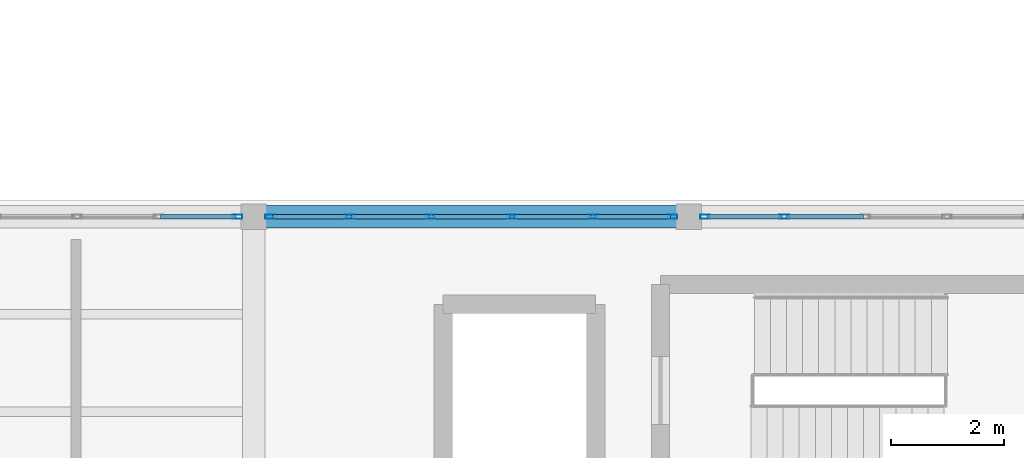
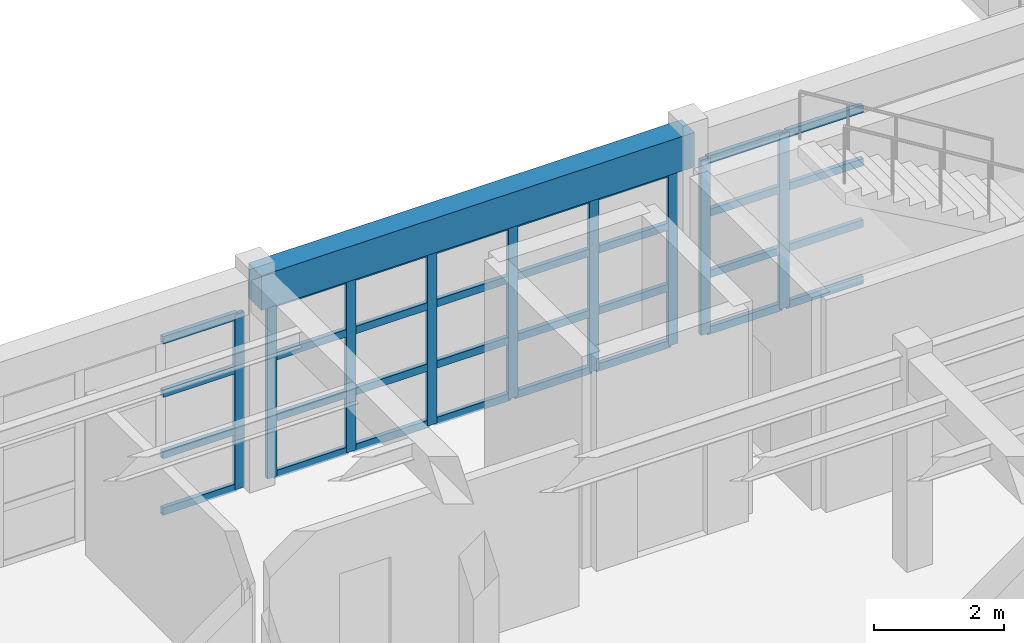
# One storey, part 15 of 66: 41 members, 1 beam, 3 elements without a shape of their own.
"""IFC4 building model written with IfcOpenShell, lengths in metres."""

from ifc_helpers import new_model, si_unit, direction, frame, origin, origin_2d, place, context, subcontext, project, spatial, rectangle, hollow_rectangle, extrude, material, layer, layer_set, material_profile, profile_set, type_object, element, aggregate, save


model = new_model("IFC4")

# Units and contexts
model_context = context("Model", 3, precision=1e-05, world=origin(), true_north=direction((0.0, 1.0)))
body_context = subcontext(model_context, "Body", "Model", "MODEL_VIEW")
ifc_project = project(units=[si_unit("LENGTHUNIT", "METRE"), si_unit("AREAUNIT", "SQUARE_METRE"), si_unit("VOLUMEUNIT", "CUBIC_METRE"), si_unit("PLANEANGLEUNIT", "RADIAN"), si_unit("MASSUNIT", "GRAM", prefix="KILO")], contexts=[model_context])

# Site, building, storey
site_placement = place(None, origin())
site = spatial("IfcSite", under=ifc_project, at=site_placement, CompositionType="ELEMENT")
building_placement = place(site_placement, origin())
building = spatial("IfcBuilding", under=site, at=building_placement, Name="Candilejo Ridge Gondola Terminal", CompositionType="ELEMENT")
storey_placement = place(building_placement, frame((0.0, 0.0, 14.39990234375)))
storey = spatial("IfcBuildingStorey", under=building, at=storey_placement, Name="L03", CompositionType="ELEMENT", Elevation=14.39990234375)

# Curtain wall, member
ifc_material_1 = material(Name="Anodised aluminium AA 6063-T6", Category="aluminium")
ifc_layer = layer(ifc_material_1, 0.169921875)
ifc_layer_set = layer_set([ifc_layer], Name="ARC-CW-GALLERY-3200-720X329")
curtain_wall_type = type_object("IfcCurtainWallType", Name="ARC-CW-GALLERY-3200-720X329", PredefinedType="NOTDEFINED", material=ifc_layer_set)
curtain_wall_1_placement = place(storey_placement, origin())
curtain_wall_1 = element("IfcCurtainWall", 1, at=curtain_wall_1_placement, inside=storey, type_object=curtain_wall_type, Name="Curtain wall V3 L03-097", PredefinedType="NOTDEFINED")
ifc_material_2 = material(Name="Anodised aluminium AA 6063-T6", Category="aluminium")
ifc_material_profile_1 = material_profile(ifc_material_2, hollow_rectangle(XDim=0.074951171875, YDim=0.169921875, WallThickness=0.00390625, at=origin_2d()))
ifc_profile_set_1 = profile_set([ifc_material_profile_1], Name="Anodised aluminium AA 6063-T6")
member_type_1 = type_object("IfcMemberType", Name="ARC-CW-MULLION", PredefinedType="MULLION", material=ifc_profile_set_1)
member_1_placement = place(storey_placement, frame((117.262451171875, 36.699951171875, 0.0), z_axis=(0.0, 0.0, 1.0), x_axis=(0.0, 1.0, 0.0)))
member_1 = element("IfcMember", 2, at=member_1_placement, type_object=member_type_1, Name="CW-72X32 mullion 6", PredefinedType="MULLION", context=body_context, shape_type="SweptSolid", body=[
    extrude(hollow_rectangle(XDim=0.074951171875, YDim=0.169921875, WallThickness=0.00390625, at=origin_2d()), origin(), (0.0, 0.0, 1.0), 3.2900390625),
])

# Curtain wall, members
curtain_wall_2_placement = place(storey_placement, origin())
curtain_wall_2 = element("IfcCurtainWall", 3, at=curtain_wall_2_placement, inside=storey, type_object=curtain_wall_type, Name="Curtain wall V3 L03-098", PredefinedType="NOTDEFINED")
member_2_placement = place(storey_placement, frame((117.83740234375, 36.699951171875, 0.0), z_axis=(0.0, 0.0, 1.0), x_axis=(0.0, 1.0, 0.0)))
member_2 = element("IfcMember", 4, at=member_2_placement, type_object=member_type_1, Name="CW-72X32 mullion 1", PredefinedType="MULLION", context=body_context, shape_type="SweptSolid", body=[
    extrude(hollow_rectangle(XDim=0.074951171875, YDim=0.169921875, WallThickness=0.00390625, at=origin_2d()), origin(), (0.0, 0.0, 1.0), 3.2900390625),
])
member_3_placement = place(storey_placement, frame((119.239990234375, 36.699951171875, 0.0), z_axis=(0.0, 0.0, 1.0), x_axis=(0.0, 1.0, 0.0)))
member_3 = element("IfcMember", 5, at=member_3_placement, type_object=member_type_1, Name="CW-72X32 mullion 2", PredefinedType="MULLION", context=body_context, shape_type="SweptSolid", body=[
    extrude(hollow_rectangle(XDim=0.074951171875, YDim=0.169921875, WallThickness=0.00390625, at=origin_2d()), origin(), (0.0, 0.0, 1.0), 3.2900390625),
])
member_4_placement = place(storey_placement, frame((120.679931640625, 36.699951171875, 0.0), z_axis=(0.0, 0.0, 1.0), x_axis=(0.0, 1.0, 0.0)))
member_4 = element("IfcMember", 6, at=member_4_placement, type_object=member_type_1, Name="CW-72X32 mullion 3", PredefinedType="MULLION", context=body_context, shape_type="SweptSolid", body=[
    extrude(hollow_rectangle(XDim=0.074951171875, YDim=0.169921875, WallThickness=0.00390625, at=origin_2d()), origin(), (0.0, 0.0, 1.0), 3.2900390625),
])
member_5_placement = place(storey_placement, frame((122.1201171875, 36.699951171875, 0.0), z_axis=(0.0, 0.0, 1.0), x_axis=(0.0, 1.0, 0.0)))
member_5 = element("IfcMember", 7, at=member_5_placement, type_object=member_type_1, Name="CW-72X32 mullion 4", PredefinedType="MULLION", context=body_context, shape_type="SweptSolid", body=[
    extrude(hollow_rectangle(XDim=0.074951171875, YDim=0.169921875, WallThickness=0.00390625, at=origin_2d()), origin(), (0.0, 0.0, 1.0), 3.2900390625),
])
member_6_placement = place(storey_placement, frame((123.56005859375, 36.699951171875, 0.0), z_axis=(0.0, 0.0, 1.0), x_axis=(0.0, 1.0, 0.0)))
member_6 = element("IfcMember", 8, at=member_6_placement, type_object=member_type_1, Name="CW-72X32 mullion 5", PredefinedType="MULLION", context=body_context, shape_type="SweptSolid", body=[
    extrude(hollow_rectangle(XDim=0.074951171875, YDim=0.169921875, WallThickness=0.00390625, at=origin_2d()), origin(), (0.0, 0.0, 1.0), 3.2900390625),
])
member_7_placement = place(storey_placement, frame((124.96240234375, 36.699951171875, 0.0), z_axis=(0.0, 0.0, 1.0), x_axis=(0.0, 1.0, 0.0)))
member_7 = element("IfcMember", 9, at=member_7_placement, type_object=member_type_1, Name="CW-72X32 mullion 6", PredefinedType="MULLION", context=body_context, shape_type="SweptSolid", body=[
    extrude(hollow_rectangle(XDim=0.074951171875, YDim=0.169921875, WallThickness=0.00390625, at=origin_2d()), origin(), (0.0, 0.0, 1.0), 3.2900390625),
])

curtain_wall_3_placement = place(storey_placement, origin())
curtain_wall_3 = element("IfcCurtainWall", 10, at=curtain_wall_3_placement, inside=storey, type_object=curtain_wall_type, Name="Curtain wall V3 L03-099", PredefinedType="NOTDEFINED")
member_8_placement = place(storey_placement, frame((125.53759765625, 36.699951171875, 0.0), z_axis=(0.0, 0.0, 1.0), x_axis=(0.0, 1.0, 0.0)))
member_8 = element("IfcMember", 11, at=member_8_placement, type_object=member_type_1, Name="CW-72X32 mullion 1", PredefinedType="MULLION", context=body_context, shape_type="SweptSolid", body=[
    extrude(hollow_rectangle(XDim=0.074951171875, YDim=0.169921875, WallThickness=0.00390625, at=origin_2d()), origin(), (0.0, 0.0, 1.0), 3.2900390625),
])
member_9_placement = place(storey_placement, frame((126.93994140625, 36.699951171875, 0.0), z_axis=(0.0, 0.0, 1.0), x_axis=(0.0, 1.0, 0.0)))
member_9 = element("IfcMember", 12, at=member_9_placement, type_object=member_type_1, Name="CW-72X32 mullion 2", PredefinedType="MULLION", context=body_context, shape_type="SweptSolid", body=[
    extrude(hollow_rectangle(XDim=0.074951171875, YDim=0.169921875, WallThickness=0.00390625, at=origin_2d()), origin(), (0.0, 0.0, 1.0), 3.2900390625),
])

# Member
ifc_material_3 = material(Name="Anodised aluminium AA 6063-T6", Category="aluminium")
ifc_material_profile_2 = material_profile(ifc_material_3, hollow_rectangle(XDim=0.074951171875, YDim=0.139892578125, WallThickness=0.00390625, at=origin_2d()))
ifc_profile_set_2 = profile_set([ifc_material_profile_2], Name="Anodised aluminium AA 6063-T6")
member_type_2 = type_object("IfcMemberType", Name="ARC-CW-TRANSOM", PredefinedType="USERDEFINED", material=ifc_profile_set_2)
member_10_placement = place(storey_placement, frame((115.8974609375, 36.699951171875, 0.03759765625), z_axis=(1.0, 0.0, 0.0), x_axis=(0.0, 1.0, 0.0)))
member_10 = element("IfcMember", 13, at=member_10_placement, type_object=member_type_2, Name="CW-72X32 transom 5.1", ObjectType="TRANSOM", PredefinedType="USERDEFINED", context=body_context, shape_type="SweptSolid", body=[
    extrude(hollow_rectangle(XDim=0.074951171875, YDim=0.139892578125, WallThickness=0.00390625, at=origin_2d()), origin(), (0.0, 0.0, 1.0), 1.32763671875),
])

member_11_placement = place(storey_placement, frame((115.8974609375, 36.699951171875, 1.10009765625), z_axis=(1.0, 0.0, 0.0), x_axis=(0.0, 1.0, 0.0)))
member_11 = element("IfcMember", 14, at=member_11_placement, type_object=member_type_2, Name="CW-72X32 transom 5.2", ObjectType="TRANSOM", PredefinedType="USERDEFINED", context=body_context, shape_type="SweptSolid", body=[
    extrude(hollow_rectangle(XDim=0.074951171875, YDim=0.139892578125, WallThickness=0.00390625, at=origin_2d()), origin(), (0.0, 0.0, 1.0), 1.32763671875),
])

member_12_placement = place(storey_placement, frame((115.8974609375, 36.699951171875, 2.25), z_axis=(1.0, 0.0, 0.0), x_axis=(0.0, 1.0, 0.0)))
member_12 = element("IfcMember", 15, at=member_12_placement, type_object=member_type_2, Name="CW-72X32 transom 5.3", ObjectType="TRANSOM", PredefinedType="USERDEFINED", context=body_context, shape_type="SweptSolid", body=[
    extrude(hollow_rectangle(XDim=0.074951171875, YDim=0.139892578125, WallThickness=0.00390625, at=origin_2d()), origin(), (0.0, 0.0, 1.0), 1.32763671875),
])

member_13_placement = place(storey_placement, frame((115.8974609375, 36.699951171875, 3.252685546875), z_axis=(1.0, 0.0, 0.0), x_axis=(0.0, 1.0, 0.0)))
member_13 = element("IfcMember", 16, at=member_13_placement, type_object=member_type_2, Name="CW-72X32 transom 5.4", ObjectType="TRANSOM", PredefinedType="USERDEFINED", context=body_context, shape_type="SweptSolid", body=[
    extrude(hollow_rectangle(XDim=0.074951171875, YDim=0.139892578125, WallThickness=0.00390625, at=origin_2d()), origin(), (0.0, 0.0, 1.0), 1.32763671875),
])

aggregate(curtain_wall_1, [member_1, member_10, member_11, member_12, member_13])

member_14_placement = place(storey_placement, frame((117.875, 36.699951171875, 0.03759765625), z_axis=(1.0, 0.0, 0.0), x_axis=(0.0, 1.0, 0.0)))
member_14 = element("IfcMember", 17, at=member_14_placement, type_object=member_type_2, Name="CW-72X32 transom 1.1", ObjectType="TRANSOM", PredefinedType="USERDEFINED", context=body_context, shape_type="SweptSolid", body=[
    extrude(hollow_rectangle(XDim=0.074951171875, YDim=0.139892578125, WallThickness=0.00390625, at=origin_2d()), origin(), (0.0, 0.0, 1.0), 1.327392578125),
])

member_15_placement = place(storey_placement, frame((117.875, 36.699951171875, 1.10009765625), z_axis=(1.0, 0.0, 0.0), x_axis=(0.0, 1.0, 0.0)))
member_15 = element("IfcMember", 18, at=member_15_placement, type_object=member_type_2, Name="CW-72X32 transom 1.2", ObjectType="TRANSOM", PredefinedType="USERDEFINED", context=body_context, shape_type="SweptSolid", body=[
    extrude(hollow_rectangle(XDim=0.074951171875, YDim=0.139892578125, WallThickness=0.00390625, at=origin_2d()), origin(), (0.0, 0.0, 1.0), 1.327392578125),
])

member_16_placement = place(storey_placement, frame((117.875, 36.699951171875, 2.25), z_axis=(1.0, 0.0, 0.0), x_axis=(0.0, 1.0, 0.0)))
member_16 = element("IfcMember", 19, at=member_16_placement, type_object=member_type_2, Name="CW-72X32 transom 1.3", ObjectType="TRANSOM", PredefinedType="USERDEFINED", context=body_context, shape_type="SweptSolid", body=[
    extrude(hollow_rectangle(XDim=0.074951171875, YDim=0.139892578125, WallThickness=0.00390625, at=origin_2d()), origin(), (0.0, 0.0, 1.0), 1.327392578125),
])

member_17_placement = place(storey_placement, frame((117.875, 36.699951171875, 3.252685546875), z_axis=(1.0, 0.0, 0.0), x_axis=(0.0, 1.0, 0.0)))
member_17 = element("IfcMember", 20, at=member_17_placement, type_object=member_type_2, Name="CW-72X32 transom 1.4", ObjectType="TRANSOM", PredefinedType="USERDEFINED", context=body_context, shape_type="SweptSolid", body=[
    extrude(hollow_rectangle(XDim=0.074951171875, YDim=0.139892578125, WallThickness=0.00390625, at=origin_2d()), origin(), (0.0, 0.0, 1.0), 1.327392578125),
])

member_18_placement = place(storey_placement, frame((119.277587890625, 36.699951171875, 0.03759765625), z_axis=(1.0, 0.0, 0.0), x_axis=(0.0, 1.0, 0.0)))
member_18 = element("IfcMember", 21, at=member_18_placement, type_object=member_type_2, Name="CW-72X32 transom 2.1", ObjectType="TRANSOM", PredefinedType="USERDEFINED", context=body_context, shape_type="SweptSolid", body=[
    extrude(hollow_rectangle(XDim=0.074951171875, YDim=0.139892578125, WallThickness=0.00390625, at=origin_2d()), origin(), (0.0, 0.0, 1.0), 1.364990234375),
])

member_19_placement = place(storey_placement, frame((119.277587890625, 36.699951171875, 1.10009765625), z_axis=(1.0, 0.0, 0.0), x_axis=(0.0, 1.0, 0.0)))
member_19 = element("IfcMember", 22, at=member_19_placement, type_object=member_type_2, Name="CW-72X32 transom 2.2", ObjectType="TRANSOM", PredefinedType="USERDEFINED", context=body_context, shape_type="SweptSolid", body=[
    extrude(hollow_rectangle(XDim=0.074951171875, YDim=0.139892578125, WallThickness=0.00390625, at=origin_2d()), origin(), (0.0, 0.0, 1.0), 1.364990234375),
])

member_20_placement = place(storey_placement, frame((119.277587890625, 36.699951171875, 2.25), z_axis=(1.0, 0.0, 0.0), x_axis=(0.0, 1.0, 0.0)))
member_20 = element("IfcMember", 23, at=member_20_placement, type_object=member_type_2, Name="CW-72X32 transom 2.3", ObjectType="TRANSOM", PredefinedType="USERDEFINED", context=body_context, shape_type="SweptSolid", body=[
    extrude(hollow_rectangle(XDim=0.074951171875, YDim=0.139892578125, WallThickness=0.00390625, at=origin_2d()), origin(), (0.0, 0.0, 1.0), 1.364990234375),
])

member_21_placement = place(storey_placement, frame((119.277587890625, 36.699951171875, 3.252685546875), z_axis=(1.0, 0.0, 0.0), x_axis=(0.0, 1.0, 0.0)))
member_21 = element("IfcMember", 24, at=member_21_placement, type_object=member_type_2, Name="CW-72X32 transom 2.4", ObjectType="TRANSOM", PredefinedType="USERDEFINED", context=body_context, shape_type="SweptSolid", body=[
    extrude(hollow_rectangle(XDim=0.074951171875, YDim=0.139892578125, WallThickness=0.00390625, at=origin_2d()), origin(), (0.0, 0.0, 1.0), 1.364990234375),
])

member_22_placement = place(storey_placement, frame((120.717529296875, 36.699951171875, 0.03759765625), z_axis=(1.0, 0.0, 0.0), x_axis=(0.0, 1.0, 0.0)))
member_22 = element("IfcMember", 25, at=member_22_placement, type_object=member_type_2, Name="CW-72X32 transom 3.1", ObjectType="TRANSOM", PredefinedType="USERDEFINED", context=body_context, shape_type="SweptSolid", body=[
    extrude(hollow_rectangle(XDim=0.074951171875, YDim=0.139892578125, WallThickness=0.00390625, at=origin_2d()), origin(), (0.0, 0.0, 1.0), 1.364990234375),
])

member_23_placement = place(storey_placement, frame((120.717529296875, 36.699951171875, 1.10009765625), z_axis=(1.0, 0.0, 0.0), x_axis=(0.0, 1.0, 0.0)))
member_23 = element("IfcMember", 26, at=member_23_placement, type_object=member_type_2, Name="CW-72X32 transom 3.2", ObjectType="TRANSOM", PredefinedType="USERDEFINED", context=body_context, shape_type="SweptSolid", body=[
    extrude(hollow_rectangle(XDim=0.074951171875, YDim=0.139892578125, WallThickness=0.00390625, at=origin_2d()), origin(), (0.0, 0.0, 1.0), 1.364990234375),
])

member_24_placement = place(storey_placement, frame((120.717529296875, 36.699951171875, 2.25), z_axis=(1.0, 0.0, 0.0), x_axis=(0.0, 1.0, 0.0)))
member_24 = element("IfcMember", 27, at=member_24_placement, type_object=member_type_2, Name="CW-72X32 transom 3.3", ObjectType="TRANSOM", PredefinedType="USERDEFINED", context=body_context, shape_type="SweptSolid", body=[
    extrude(hollow_rectangle(XDim=0.074951171875, YDim=0.139892578125, WallThickness=0.00390625, at=origin_2d()), origin(), (0.0, 0.0, 1.0), 1.364990234375),
])

member_25_placement = place(storey_placement, frame((120.717529296875, 36.699951171875, 3.252685546875), z_axis=(1.0, 0.0, 0.0), x_axis=(0.0, 1.0, 0.0)))
member_25 = element("IfcMember", 28, at=member_25_placement, type_object=member_type_2, Name="CW-72X32 transom 3.4", ObjectType="TRANSOM", PredefinedType="USERDEFINED", context=body_context, shape_type="SweptSolid", body=[
    extrude(hollow_rectangle(XDim=0.074951171875, YDim=0.139892578125, WallThickness=0.00390625, at=origin_2d()), origin(), (0.0, 0.0, 1.0), 1.364990234375),
])

member_26_placement = place(storey_placement, frame((122.157470703125, 36.699951171875, 0.03759765625), z_axis=(1.0, 0.0, 0.0), x_axis=(0.0, 1.0, 0.0)))
member_26 = element("IfcMember", 29, at=member_26_placement, type_object=member_type_2, Name="CW-72X32 transom 4.1", ObjectType="TRANSOM", PredefinedType="USERDEFINED", context=body_context, shape_type="SweptSolid", body=[
    extrude(hollow_rectangle(XDim=0.074951171875, YDim=0.139892578125, WallThickness=0.00390625, at=origin_2d()), origin(), (0.0, 0.0, 1.0), 1.364990234375),
])

member_27_placement = place(storey_placement, frame((122.157470703125, 36.699951171875, 1.10009765625), z_axis=(1.0, 0.0, 0.0), x_axis=(0.0, 1.0, 0.0)))
member_27 = element("IfcMember", 30, at=member_27_placement, type_object=member_type_2, Name="CW-72X32 transom 4.2", ObjectType="TRANSOM", PredefinedType="USERDEFINED", context=body_context, shape_type="SweptSolid", body=[
    extrude(hollow_rectangle(XDim=0.074951171875, YDim=0.139892578125, WallThickness=0.00390625, at=origin_2d()), origin(), (0.0, 0.0, 1.0), 1.364990234375),
])

member_28_placement = place(storey_placement, frame((122.157470703125, 36.699951171875, 2.25), z_axis=(1.0, 0.0, 0.0), x_axis=(0.0, 1.0, 0.0)))
member_28 = element("IfcMember", 31, at=member_28_placement, type_object=member_type_2, Name="CW-72X32 transom 4.3", ObjectType="TRANSOM", PredefinedType="USERDEFINED", context=body_context, shape_type="SweptSolid", body=[
    extrude(hollow_rectangle(XDim=0.074951171875, YDim=0.139892578125, WallThickness=0.00390625, at=origin_2d()), origin(), (0.0, 0.0, 1.0), 1.364990234375),
])

member_29_placement = place(storey_placement, frame((122.157470703125, 36.699951171875, 3.252685546875), z_axis=(1.0, 0.0, 0.0), x_axis=(0.0, 1.0, 0.0)))
member_29 = element("IfcMember", 32, at=member_29_placement, type_object=member_type_2, Name="CW-72X32 transom 4.4", ObjectType="TRANSOM", PredefinedType="USERDEFINED", context=body_context, shape_type="SweptSolid", body=[
    extrude(hollow_rectangle(XDim=0.074951171875, YDim=0.139892578125, WallThickness=0.00390625, at=origin_2d()), origin(), (0.0, 0.0, 1.0), 1.364990234375),
])

member_30_placement = place(storey_placement, frame((123.597412109375, 36.699951171875, 0.03759765625), z_axis=(1.0, 0.0, 0.0), x_axis=(0.0, 1.0, 0.0)))
member_30 = element("IfcMember", 33, at=member_30_placement, type_object=member_type_2, Name="CW-72X32 transom 5.1", ObjectType="TRANSOM", PredefinedType="USERDEFINED", context=body_context, shape_type="SweptSolid", body=[
    extrude(hollow_rectangle(XDim=0.074951171875, YDim=0.139892578125, WallThickness=0.00390625, at=origin_2d()), origin(), (0.0, 0.0, 1.0), 1.32763671875),
])

member_31_placement = place(storey_placement, frame((123.597412109375, 36.699951171875, 1.10009765625), z_axis=(1.0, 0.0, 0.0), x_axis=(0.0, 1.0, 0.0)))
member_31 = element("IfcMember", 34, at=member_31_placement, type_object=member_type_2, Name="CW-72X32 transom 5.2", ObjectType="TRANSOM", PredefinedType="USERDEFINED", context=body_context, shape_type="SweptSolid", body=[
    extrude(hollow_rectangle(XDim=0.074951171875, YDim=0.139892578125, WallThickness=0.00390625, at=origin_2d()), origin(), (0.0, 0.0, 1.0), 1.32763671875),
])

member_32_placement = place(storey_placement, frame((123.597412109375, 36.699951171875, 2.25), z_axis=(1.0, 0.0, 0.0), x_axis=(0.0, 1.0, 0.0)))
member_32 = element("IfcMember", 35, at=member_32_placement, type_object=member_type_2, Name="CW-72X32 transom 5.3", ObjectType="TRANSOM", PredefinedType="USERDEFINED", context=body_context, shape_type="SweptSolid", body=[
    extrude(hollow_rectangle(XDim=0.074951171875, YDim=0.139892578125, WallThickness=0.00390625, at=origin_2d()), origin(), (0.0, 0.0, 1.0), 1.32763671875),
])

member_33_placement = place(storey_placement, frame((123.597412109375, 36.699951171875, 3.252685546875), z_axis=(1.0, 0.0, 0.0), x_axis=(0.0, 1.0, 0.0)))
member_33 = element("IfcMember", 36, at=member_33_placement, type_object=member_type_2, Name="CW-72X32 transom 5.4", ObjectType="TRANSOM", PredefinedType="USERDEFINED", context=body_context, shape_type="SweptSolid", body=[
    extrude(hollow_rectangle(XDim=0.074951171875, YDim=0.139892578125, WallThickness=0.00390625, at=origin_2d()), origin(), (0.0, 0.0, 1.0), 1.32763671875),
])

aggregate(curtain_wall_2, [member_2, member_3, member_4, member_5, member_6, member_7, member_14, member_15, member_16, member_17, member_18, member_19, member_20, member_21, member_22, member_23, member_24, member_25, member_26, member_27, member_28, member_29, member_30, member_31, member_32, member_33])

member_34_placement = place(storey_placement, frame((125.574951171875, 36.699951171875, 0.03759765625), z_axis=(1.0, 0.0, 0.0), x_axis=(0.0, 1.0, 0.0)))
member_34 = element("IfcMember", 37, at=member_34_placement, type_object=member_type_2, Name="CW-72X32 transom 1.1", ObjectType="TRANSOM", PredefinedType="USERDEFINED", context=body_context, shape_type="SweptSolid", body=[
    extrude(hollow_rectangle(XDim=0.074951171875, YDim=0.139892578125, WallThickness=0.00390625, at=origin_2d()), origin(), (0.0, 0.0, 1.0), 1.32763671875),
])

member_35_placement = place(storey_placement, frame((125.574951171875, 36.699951171875, 1.10009765625), z_axis=(1.0, 0.0, 0.0), x_axis=(0.0, 1.0, 0.0)))
member_35 = element("IfcMember", 38, at=member_35_placement, type_object=member_type_2, Name="CW-72X32 transom 1.2", ObjectType="TRANSOM", PredefinedType="USERDEFINED", context=body_context, shape_type="SweptSolid", body=[
    extrude(hollow_rectangle(XDim=0.074951171875, YDim=0.139892578125, WallThickness=0.00390625, at=origin_2d()), origin(), (0.0, 0.0, 1.0), 1.32763671875),
])

member_36_placement = place(storey_placement, frame((125.574951171875, 36.699951171875, 2.25), z_axis=(1.0, 0.0, 0.0), x_axis=(0.0, 1.0, 0.0)))
member_36 = element("IfcMember", 39, at=member_36_placement, type_object=member_type_2, Name="CW-72X32 transom 1.3", ObjectType="TRANSOM", PredefinedType="USERDEFINED", context=body_context, shape_type="SweptSolid", body=[
    extrude(hollow_rectangle(XDim=0.074951171875, YDim=0.139892578125, WallThickness=0.00390625, at=origin_2d()), origin(), (0.0, 0.0, 1.0), 1.32763671875),
])

member_37_placement = place(storey_placement, frame((125.574951171875, 36.699951171875, 3.252685546875), z_axis=(1.0, 0.0, 0.0), x_axis=(0.0, 1.0, 0.0)))
member_37 = element("IfcMember", 40, at=member_37_placement, type_object=member_type_2, Name="CW-72X32 transom 1.4", ObjectType="TRANSOM", PredefinedType="USERDEFINED", context=body_context, shape_type="SweptSolid", body=[
    extrude(hollow_rectangle(XDim=0.074951171875, YDim=0.139892578125, WallThickness=0.00390625, at=origin_2d()), origin(), (0.0, 0.0, 1.0), 1.32763671875),
])

member_38_placement = place(storey_placement, frame((126.9775390625, 36.699951171875, 0.03759765625), z_axis=(1.0, 0.0, 0.0), x_axis=(0.0, 1.0, 0.0)))
member_38 = element("IfcMember", 41, at=member_38_placement, type_object=member_type_2, Name="CW-72X32 transom 2.1", ObjectType="TRANSOM", PredefinedType="USERDEFINED", context=body_context, shape_type="SweptSolid", body=[
    extrude(hollow_rectangle(XDim=0.074951171875, YDim=0.139892578125, WallThickness=0.00390625, at=origin_2d()), origin(), (0.0, 0.0, 1.0), 1.364990234375),
])

member_39_placement = place(storey_placement, frame((126.9775390625, 36.699951171875, 1.10009765625), z_axis=(1.0, 0.0, 0.0), x_axis=(0.0, 1.0, 0.0)))
member_39 = element("IfcMember", 42, at=member_39_placement, type_object=member_type_2, Name="CW-72X32 transom 2.2", ObjectType="TRANSOM", PredefinedType="USERDEFINED", context=body_context, shape_type="SweptSolid", body=[
    extrude(hollow_rectangle(XDim=0.074951171875, YDim=0.139892578125, WallThickness=0.00390625, at=origin_2d()), origin(), (0.0, 0.0, 1.0), 1.364990234375),
])

member_40_placement = place(storey_placement, frame((126.9775390625, 36.699951171875, 2.25), z_axis=(1.0, 0.0, 0.0), x_axis=(0.0, 1.0, 0.0)))
member_40 = element("IfcMember", 43, at=member_40_placement, type_object=member_type_2, Name="CW-72X32 transom 2.3", ObjectType="TRANSOM", PredefinedType="USERDEFINED", context=body_context, shape_type="SweptSolid", body=[
    extrude(hollow_rectangle(XDim=0.074951171875, YDim=0.139892578125, WallThickness=0.00390625, at=origin_2d()), origin(), (0.0, 0.0, 1.0), 1.364990234375),
])

member_41_placement = place(storey_placement, frame((126.9775390625, 36.699951171875, 3.252685546875), z_axis=(1.0, 0.0, 0.0), x_axis=(0.0, 1.0, 0.0)))
member_41 = element("IfcMember", 44, at=member_41_placement, type_object=member_type_2, Name="CW-72X32 transom 2.4", ObjectType="TRANSOM", PredefinedType="USERDEFINED", context=body_context, shape_type="SweptSolid", body=[
    extrude(hollow_rectangle(XDim=0.074951171875, YDim=0.139892578125, WallThickness=0.00390625, at=origin_2d()), origin(), (0.0, 0.0, 1.0), 1.364990234375),
])

aggregate(curtain_wall_3, [member_8, member_9, member_34, member_35, member_36, member_37, member_38, member_39, member_40, member_41])

# Beam
ifc_material_4 = material(Name="Concrete f'c 35 MPa (C35/45)", Category="concrete")
ifc_material_profile_3 = material_profile(ifc_material_4, rectangle(XDim=0.39990234375, YDim=0.64990234375, at=origin_2d()))
ifc_profile_set_3 = profile_set([ifc_material_profile_3], Name="Concrete f'c 35 MPa (C35/45)")
beam_type = type_object("IfcBeamType", Name="STR-SPN-RC400X650", PredefinedType="SPANDREL", material=ifc_profile_set_3)
beam_placement = place(storey_placement, frame((117.550048828125, 36.699951171875, 3.6650390625), z_axis=(1.0, 0.0, 0.0), x_axis=(0.0, 1.0, 0.0)))
element("IfcBeam", 45, at=beam_placement, inside=storey, type_object=beam_type, Name="Beam X V3 L03 X18-X19@Y07", PredefinedType="SPANDREL", context=body_context, shape_type="SweptSolid", body=[
    extrude(rectangle(XDim=0.39990234375, YDim=0.64990234375, at=origin_2d()), origin(), (0.0, 0.0, 1.0), 7.699951171875),
])

save(model, "model.ifc")
